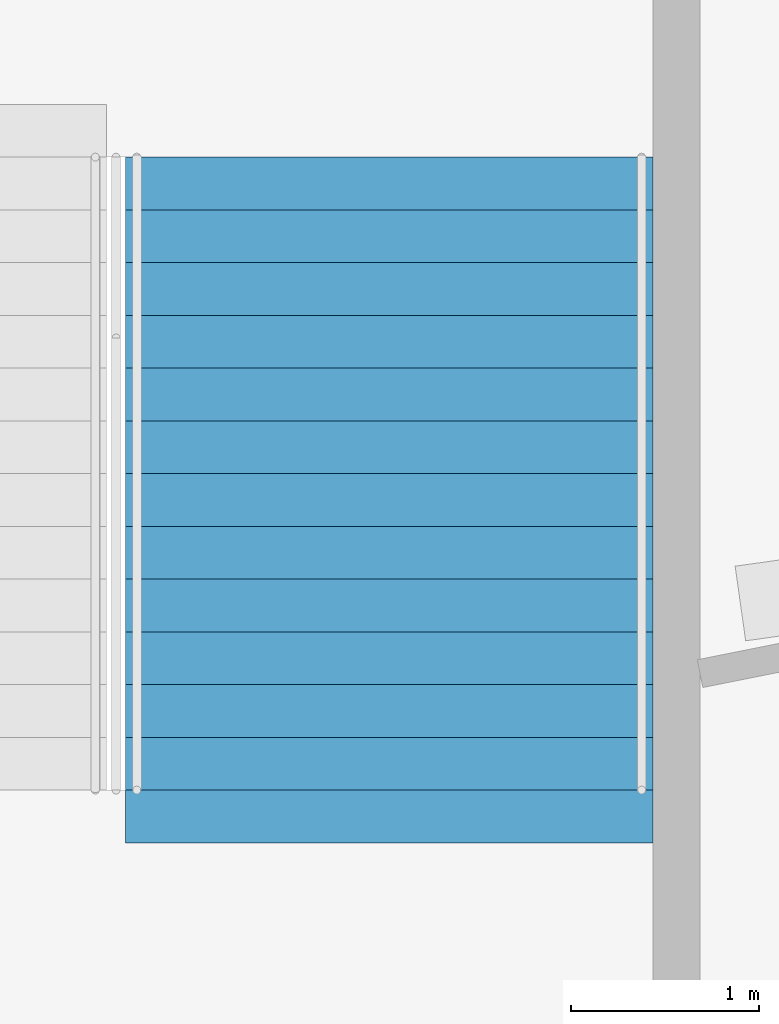
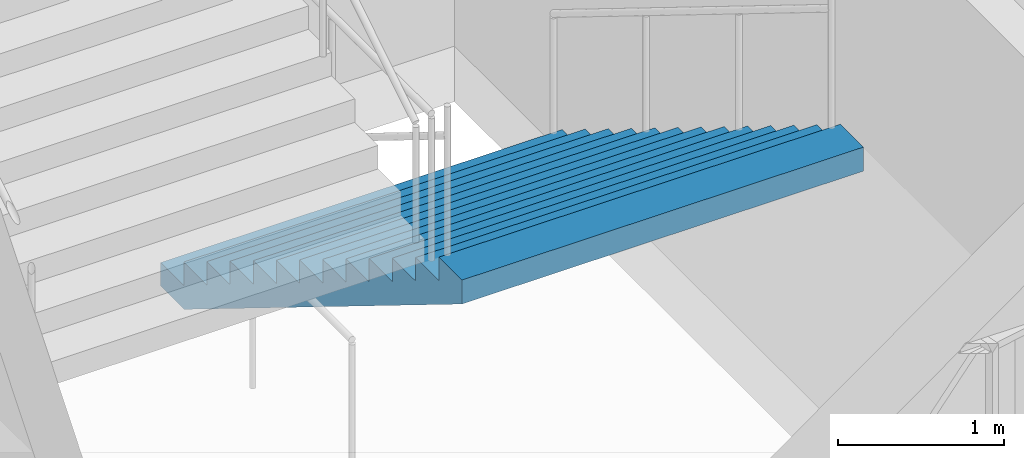
# One storey, part 105 of 177: 1 stair flight, 1 element without a shape of its own.
"""IFC4 building model written with IfcOpenShell, lengths in metres."""

from ifc_helpers import new_model, si_unit, direction, frame, origin, place, context, subcontext, project, spatial, faceted_brep, material, type_object, element, aggregate, save


model = new_model("IFC4")

# Units and contexts
model_context = context("Model", 3, precision=1e-05, world=origin(), true_north=direction((0.0, 1.0)))
body_context = subcontext(model_context, "Body", "Model", "MODEL_VIEW")
ifc_project = project(units=[si_unit("LENGTHUNIT", "METRE"), si_unit("AREAUNIT", "SQUARE_METRE"), si_unit("VOLUMEUNIT", "CUBIC_METRE"), si_unit("PLANEANGLEUNIT", "RADIAN"), si_unit("MASSUNIT", "GRAM", prefix="KILO")], contexts=[model_context])

# Site, building, storey
site_placement = place(None, origin())
site = spatial("IfcSite", under=ifc_project, at=site_placement, CompositionType="ELEMENT")
building_placement = place(site_placement, origin())
building = spatial("IfcBuilding", under=site, at=building_placement, Name="Ogive Plaza Stadium", CompositionType="ELEMENT")
storey_placement = place(building_placement, frame((0.0, 0.0, 18.0)))
storey = spatial("IfcBuildingStorey", under=building, at=storey_placement, Name="L04", CompositionType="ELEMENT", Elevation=18.0)

# Stair, stair flight
ifc_material_1 = material(Name="Concrete C40/50", Category="concrete")
stair_type = type_object("IfcStairType", Name="Exit stair", PredefinedType="STRAIGHT_RUN_STAIR", material=ifc_material_1)
stair_placement = place(storey_placement, origin())
stair = element("IfcStair", 1, at=stair_placement, inside=storey, type_object=stair_type, Name="Exit stair ST12B L04 to L05", PredefinedType="STRAIGHT_RUN_STAIR")
ifc_material_2 = material(Name="Concrete C40/50", Category="concrete")
stair_flight_type = type_object("IfcStairFlightType", Name="Exit stair flight", PredefinedType="STRAIGHT", material=ifc_material_2)
stair_flight_placement = place(storey_placement, frame((38.425048828125, -94.85009765625, 0.0), z_axis=(0.0, 0.0, 1.0), x_axis=(0.0, -1.0, 0.0)))
stair_flight = element("IfcStairFlight", 2, at=stair_flight_placement, type_object=stair_flight_type, Name="ST12B flight 1", NumberOfRisers=13, NumberOfTreads=12, PredefinedType="STRAIGHT", RiserHeight=0.173076923, TreadLength=0.28, context=body_context, shape_type="Brep", body=[
    faceted_brep([(0.28515625, -1.39990234375, 0.0), (3.639892578125, -1.39990234375, 2.07373046875), (3.639892578125, -1.39990234375, 2.25), (3.360107421875, -1.39990234375, 2.25), (3.360107421875, -1.39990234375, 2.076904296875), (3.080078125, -1.39990234375, 2.076904296875), (3.080078125, -1.39990234375, 1.90380859375), (2.800048828125, -1.39990234375, 1.90380859375), (2.800048828125, -1.39990234375, 1.730712890625), (2.52001953125, -1.39990234375, 1.730712890625), (2.52001953125, -1.39990234375, 1.5576171875), (2.239990234375, -1.39990234375, 1.5576171875), (2.239990234375, -1.39990234375, 1.384521484375), (1.9599609375, -1.39990234375, 1.384521484375), (1.9599609375, -1.39990234375, 1.21142578125), (1.679931640625, -1.39990234375, 1.21142578125), (1.679931640625, -1.39990234375, 1.03857421875), (1.39990234375, -1.39990234375, 1.03857421875), (1.39990234375, -1.39990234375, 0.865478515625), (1.1201171875, -1.39990234375, 0.865478515625), (1.1201171875, -1.39990234375, 0.6923828125), (0.840087890625, -1.39990234375, 0.6923828125), (0.840087890625, -1.39990234375, 0.519287109375), (0.56005859375, -1.39990234375, 0.519287109375), (0.56005859375, -1.39990234375, 0.34619140625), (0.280029296875, -1.39990234375, 0.34619140625), (0.280029296875, -1.39990234375, 0.173095703125), (0.0, -1.39990234375, 0.173095703125), (0.0, -1.39990234375, 0.0), (0.0, 1.39990234375, 0.0), (0.0, 1.39990234375, 0.173095703125), (0.280029296875, 1.39990234375, 0.173095703125), (0.280029296875, 1.39990234375, 0.34619140625), (0.56005859375, 1.39990234375, 0.34619140625), (0.56005859375, 1.39990234375, 0.519287109375), (0.840087890625, 1.39990234375, 0.519287109375), (0.840087890625, 1.39990234375, 0.6923828125), (1.1201171875, 1.39990234375, 0.6923828125), (1.1201171875, 1.39990234375, 0.865478515625), (1.39990234375, 1.39990234375, 0.865478515625), (1.39990234375, 1.39990234375, 1.03857421875), (1.679931640625, 1.39990234375, 1.03857421875), (1.679931640625, 1.39990234375, 1.21142578125), (1.9599609375, 1.39990234375, 1.21142578125), (1.9599609375, 1.39990234375, 1.384521484375), (2.239990234375, 1.39990234375, 1.384521484375), (2.239990234375, 1.39990234375, 1.5576171875), (2.52001953125, 1.39990234375, 1.5576171875), (2.52001953125, 1.39990234375, 1.730712890625), (2.800048828125, 1.39990234375, 1.730712890625), (2.800048828125, 1.39990234375, 1.90380859375), (3.080078125, 1.39990234375, 1.90380859375), (3.080078125, 1.39990234375, 2.076904296875), (3.360107421875, 1.39990234375, 2.076904296875), (3.360107421875, 1.39990234375, 2.25), (3.639892578125, 1.39990234375, 2.25), (3.639892578125, 1.39990234375, 2.07373046875), (0.28515625, 1.39990234375, 0.0), (0.28515625, -1.0888671875, 0.0), (3.639892578125, -1.0888671875, 2.07373046875), (0.28515625, -0.77783203125, 0.0), (3.639892578125, -0.77783203125, 2.07373046875), (0.28515625, -0.466796875, 0.0), (3.639892578125, -0.466796875, 2.07373046875), (0.28515625, -0.155517578125, 0.0), (3.639892578125, -0.155517578125, 2.07373046875), (0.28515625, 0.155517578125, 0.0), (3.639892578125, 0.155517578125, 2.07373046875), (0.28515625, 0.466796875, 0.0), (3.639892578125, 0.466796875, 2.07373046875), (0.28515625, 0.77783203125, 0.0), (3.639892578125, 0.77783203125, 2.07373046875), (0.28515625, 1.0888671875, 0.0), (3.639892578125, 1.0888671875, 2.07373046875), (3.639892578125, -1.0888671875, 2.25), (3.639892578125, -0.77783203125, 2.25), (3.639892578125, -0.466796875, 2.25), (3.639892578125, -0.155517578125, 2.25), (3.639892578125, 0.155517578125, 2.25), (3.639892578125, 0.466796875, 2.25), (3.639892578125, 0.77783203125, 2.25), (3.639892578125, 1.0888671875, 2.25), (3.360107421875, -1.0888671875, 2.25), (3.360107421875, -0.77783203125, 2.25), (3.360107421875, -0.466796875, 2.25), (3.360107421875, -0.155517578125, 2.25), (3.360107421875, 0.155517578125, 2.25), (3.360107421875, 0.466796875, 2.25), (3.360107421875, 0.77783203125, 2.25), (3.360107421875, 1.0888671875, 2.25), (3.360107421875, -1.0888671875, 2.076904296875), (3.360107421875, -0.77783203125, 2.076904296875), (3.360107421875, -0.466796875, 2.076904296875), (3.360107421875, -0.155517578125, 2.076904296875), (3.360107421875, 0.155517578125, 2.076904296875), (3.360107421875, 0.466796875, 2.076904296875), (3.360107421875, 0.77783203125, 2.076904296875), (3.360107421875, 1.0888671875, 2.076904296875), (3.080078125, -1.0888671875, 2.076904296875), (3.080078125, -0.77783203125, 2.076904296875), (3.080078125, -0.466796875, 2.076904296875), (3.080078125, -0.155517578125, 2.076904296875), (3.080078125, 0.155517578125, 2.076904296875), (3.080078125, 0.466796875, 2.076904296875), (3.080078125, 0.77783203125, 2.076904296875), (3.080078125, 1.0888671875, 2.076904296875), (3.080078125, -1.0888671875, 1.90380859375), (3.080078125, -0.77783203125, 1.90380859375), (3.080078125, -0.466796875, 1.90380859375), (3.080078125, -0.155517578125, 1.90380859375), (3.080078125, 0.155517578125, 1.90380859375), (3.080078125, 0.466796875, 1.90380859375), (3.080078125, 0.77783203125, 1.90380859375), (3.080078125, 1.0888671875, 1.90380859375), (2.800048828125, -1.0888671875, 1.90380859375), (2.800048828125, -0.77783203125, 1.90380859375), (2.800048828125, -0.466796875, 1.90380859375), (2.800048828125, -0.155517578125, 1.90380859375), (2.800048828125, 0.155517578125, 1.90380859375), (2.800048828125, 0.466796875, 1.90380859375), (2.800048828125, 0.77783203125, 1.90380859375), (2.800048828125, 1.0888671875, 1.90380859375), (2.800048828125, -1.0888671875, 1.730712890625), (2.800048828125, -0.77783203125, 1.730712890625), (2.800048828125, -0.466796875, 1.730712890625), (2.800048828125, -0.155517578125, 1.730712890625), (2.800048828125, 0.155517578125, 1.730712890625), (2.800048828125, 0.466796875, 1.730712890625), (2.800048828125, 0.77783203125, 1.730712890625), (2.800048828125, 1.0888671875, 1.730712890625), (2.52001953125, -1.0888671875, 1.730712890625), (2.52001953125, -0.77783203125, 1.730712890625), (2.52001953125, -0.466796875, 1.730712890625), (2.52001953125, -0.155517578125, 1.730712890625), (2.52001953125, 0.155517578125, 1.730712890625), (2.52001953125, 0.466796875, 1.730712890625), (2.52001953125, 0.77783203125, 1.730712890625), (2.52001953125, 1.0888671875, 1.730712890625), (2.52001953125, -1.0888671875, 1.5576171875), (2.52001953125, -0.77783203125, 1.5576171875), (2.52001953125, -0.466796875, 1.5576171875), (2.52001953125, -0.155517578125, 1.5576171875), (2.52001953125, 0.155517578125, 1.5576171875), (2.52001953125, 0.466796875, 1.5576171875), (2.52001953125, 0.77783203125, 1.5576171875), (2.52001953125, 1.0888671875, 1.5576171875), (2.239990234375, -1.0888671875, 1.5576171875), (2.239990234375, -0.77783203125, 1.5576171875), (2.239990234375, -0.466796875, 1.5576171875), (2.239990234375, -0.155517578125, 1.5576171875), (2.239990234375, 0.155517578125, 1.5576171875), (2.239990234375, 0.466796875, 1.5576171875), (2.239990234375, 0.77783203125, 1.5576171875), (2.239990234375, 1.0888671875, 1.5576171875), (2.239990234375, -1.0888671875, 1.384521484375), (2.239990234375, -0.77783203125, 1.384521484375), (2.239990234375, -0.466796875, 1.384521484375), (2.239990234375, -0.155517578125, 1.384521484375), (2.239990234375, 0.155517578125, 1.384521484375), (2.239990234375, 0.466796875, 1.384521484375), (2.239990234375, 0.77783203125, 1.384521484375), (2.239990234375, 1.0888671875, 1.384521484375), (1.9599609375, -1.0888671875, 1.384521484375), (1.9599609375, -0.77783203125, 1.384521484375), (1.9599609375, -0.466796875, 1.384521484375), (1.9599609375, -0.155517578125, 1.384521484375), (1.9599609375, 0.155517578125, 1.384521484375), (1.9599609375, 0.466796875, 1.384521484375), (1.9599609375, 0.77783203125, 1.384521484375), (1.9599609375, 1.0888671875, 1.384521484375), (1.9599609375, -1.0888671875, 1.21142578125), (1.9599609375, -0.77783203125, 1.21142578125), (1.9599609375, -0.466796875, 1.21142578125), (1.9599609375, -0.155517578125, 1.21142578125), (1.9599609375, 0.155517578125, 1.21142578125), (1.9599609375, 0.466796875, 1.21142578125), (1.9599609375, 0.77783203125, 1.21142578125), (1.9599609375, 1.0888671875, 1.21142578125), (1.679931640625, -1.0888671875, 1.21142578125), (1.679931640625, -0.77783203125, 1.21142578125), (1.679931640625, -0.466796875, 1.21142578125), (1.679931640625, -0.155517578125, 1.21142578125), (1.679931640625, 0.155517578125, 1.21142578125), (1.679931640625, 0.466796875, 1.21142578125), (1.679931640625, 0.77783203125, 1.21142578125), (1.679931640625, 1.0888671875, 1.21142578125), (1.679931640625, -1.0888671875, 1.03857421875), (1.679931640625, -0.77783203125, 1.03857421875), (1.679931640625, -0.466796875, 1.03857421875), (1.679931640625, -0.155517578125, 1.03857421875), (1.679931640625, 0.155517578125, 1.03857421875), (1.679931640625, 0.466796875, 1.03857421875), (1.679931640625, 0.77783203125, 1.03857421875), (1.679931640625, 1.0888671875, 1.03857421875), (1.39990234375, -1.0888671875, 1.03857421875), (1.39990234375, -0.77783203125, 1.03857421875), (1.39990234375, -0.466796875, 1.03857421875), (1.39990234375, -0.155517578125, 1.03857421875), (1.39990234375, 0.155517578125, 1.03857421875), (1.39990234375, 0.466796875, 1.03857421875), (1.39990234375, 0.77783203125, 1.03857421875), (1.39990234375, 1.0888671875, 1.03857421875), (1.39990234375, -1.0888671875, 0.865478515625), (1.39990234375, -0.77783203125, 0.865478515625), (1.39990234375, -0.466796875, 0.865478515625), (1.39990234375, -0.155517578125, 0.865478515625), (1.39990234375, 0.155517578125, 0.865478515625), (1.39990234375, 0.466796875, 0.865478515625), (1.39990234375, 0.77783203125, 0.865478515625), (1.39990234375, 1.0888671875, 0.865478515625), (1.1201171875, -1.0888671875, 0.865478515625), (1.1201171875, -0.77783203125, 0.865478515625), (1.1201171875, -0.466796875, 0.865478515625), (1.1201171875, -0.155517578125, 0.865478515625), (1.1201171875, 0.155517578125, 0.865478515625), (1.1201171875, 0.466796875, 0.865478515625), (1.1201171875, 0.77783203125, 0.865478515625), (1.1201171875, 1.0888671875, 0.865478515625), (1.1201171875, -1.0888671875, 0.6923828125), (1.1201171875, -0.77783203125, 0.6923828125), (1.1201171875, -0.466796875, 0.6923828125), (1.1201171875, -0.155517578125, 0.6923828125), (1.1201171875, 0.155517578125, 0.6923828125), (1.1201171875, 0.466796875, 0.6923828125), (1.1201171875, 0.77783203125, 0.6923828125), (1.1201171875, 1.0888671875, 0.6923828125), (0.840087890625, -1.0888671875, 0.6923828125), (0.840087890625, -0.77783203125, 0.6923828125), (0.840087890625, -0.466796875, 0.6923828125), (0.840087890625, -0.155517578125, 0.6923828125), (0.840087890625, 0.155517578125, 0.6923828125), (0.840087890625, 0.466796875, 0.6923828125), (0.840087890625, 0.77783203125, 0.6923828125), (0.840087890625, 1.0888671875, 0.6923828125), (0.840087890625, -1.0888671875, 0.519287109375), (0.840087890625, -0.77783203125, 0.519287109375), (0.840087890625, -0.466796875, 0.519287109375), (0.840087890625, -0.155517578125, 0.519287109375), (0.840087890625, 0.155517578125, 0.519287109375), (0.840087890625, 0.466796875, 0.519287109375), (0.840087890625, 0.77783203125, 0.519287109375), (0.840087890625, 1.0888671875, 0.519287109375), (0.56005859375, -1.0888671875, 0.519287109375), (0.56005859375, -0.77783203125, 0.519287109375), (0.56005859375, -0.466796875, 0.519287109375), (0.56005859375, -0.155517578125, 0.519287109375), (0.56005859375, 0.155517578125, 0.519287109375), (0.56005859375, 0.466796875, 0.519287109375), (0.56005859375, 0.77783203125, 0.519287109375), (0.56005859375, 1.0888671875, 0.519287109375), (0.56005859375, -1.0888671875, 0.34619140625), (0.56005859375, -0.77783203125, 0.34619140625), (0.56005859375, -0.466796875, 0.34619140625), (0.56005859375, -0.155517578125, 0.34619140625), (0.56005859375, 0.155517578125, 0.34619140625), (0.56005859375, 0.466796875, 0.34619140625), (0.56005859375, 0.77783203125, 0.34619140625), (0.56005859375, 1.0888671875, 0.34619140625), (0.280029296875, -1.0888671875, 0.34619140625), (0.280029296875, -0.77783203125, 0.34619140625), (0.280029296875, -0.466796875, 0.34619140625), (0.280029296875, -0.155517578125, 0.34619140625), (0.280029296875, 0.155517578125, 0.34619140625), (0.280029296875, 0.466796875, 0.34619140625), (0.280029296875, 0.77783203125, 0.34619140625), (0.280029296875, 1.0888671875, 0.34619140625), (0.280029296875, -1.0888671875, 0.173095703125), (0.280029296875, -0.77783203125, 0.173095703125), (0.280029296875, -0.466796875, 0.173095703125), (0.280029296875, -0.155517578125, 0.173095703125), (0.280029296875, 0.155517578125, 0.173095703125), (0.280029296875, 0.466796875, 0.173095703125), (0.280029296875, 0.77783203125, 0.173095703125), (0.280029296875, 1.0888671875, 0.173095703125), (0.0, -1.0888671875, 0.173095703125), (0.0, -0.77783203125, 0.173095703125), (0.0, -0.466796875, 0.173095703125), (0.0, -0.155517578125, 0.173095703125), (0.0, 0.155517578125, 0.173095703125), (0.0, 0.466796875, 0.173095703125), (0.0, 0.77783203125, 0.173095703125), (0.0, 1.0888671875, 0.173095703125), (0.0, -1.0888671875, 0.0), (0.0, -0.77783203125, 0.0), (0.0, -0.466796875, 0.0), (0.0, -0.155517578125, 0.0), (0.0, 0.155517578125, 0.0), (0.0, 0.466796875, 0.0), (0.0, 0.77783203125, 0.0), (0.0, 1.0888671875, 0.0)], [[[0, 1, 2, 3, 4, 5, 6, 7, 8, 9, 10, 11, 12, 13, 14, 15, 16, 17, 18, 19, 20, 21, 22, 23, 24, 25, 26, 27, 28]], [[29, 30, 31, 32, 33, 34, 35, 36, 37, 38, 39, 40, 41, 42, 43, 44, 45, 46, 47, 48, 49, 50, 51, 52, 53, 54, 55, 56, 57]], [[0, 58, 59, 1]], [[58, 60, 61, 59]], [[60, 62, 63, 61]], [[62, 64, 65, 63]], [[64, 66, 67, 65]], [[66, 68, 69, 67]], [[68, 70, 71, 69]], [[70, 72, 73, 71]], [[72, 57, 56, 73]], [[1, 59, 74, 2]], [[59, 61, 75, 74]], [[61, 63, 76, 75]], [[63, 65, 77, 76]], [[65, 67, 78, 77]], [[67, 69, 79, 78]], [[69, 71, 80, 79]], [[71, 73, 81, 80]], [[73, 56, 55, 81]], [[2, 74, 82, 3]], [[74, 75, 83, 82]], [[75, 76, 84, 83]], [[76, 77, 85, 84]], [[77, 78, 86, 85]], [[78, 79, 87, 86]], [[79, 80, 88, 87]], [[80, 81, 89, 88]], [[81, 55, 54, 89]], [[3, 82, 90, 4]], [[82, 83, 91, 90]], [[83, 84, 92, 91]], [[84, 85, 93, 92]], [[85, 86, 94, 93]], [[86, 87, 95, 94]], [[87, 88, 96, 95]], [[88, 89, 97, 96]], [[89, 54, 53, 97]], [[4, 90, 98, 5]], [[90, 91, 99, 98]], [[91, 92, 100, 99]], [[92, 93, 101, 100]], [[93, 94, 102, 101]], [[94, 95, 103, 102]], [[95, 96, 104, 103]], [[96, 97, 105, 104]], [[97, 53, 52, 105]], [[5, 98, 106, 6]], [[98, 99, 107, 106]], [[99, 100, 108, 107]], [[100, 101, 109, 108]], [[101, 102, 110, 109]], [[102, 103, 111, 110]], [[103, 104, 112, 111]], [[104, 105, 113, 112]], [[105, 52, 51, 113]], [[6, 106, 114, 7]], [[106, 107, 115, 114]], [[107, 108, 116, 115]], [[108, 109, 117, 116]], [[109, 110, 118, 117]], [[110, 111, 119, 118]], [[111, 112, 120, 119]], [[112, 113, 121, 120]], [[113, 51, 50, 121]], [[7, 114, 122, 8]], [[114, 115, 123, 122]], [[115, 116, 124, 123]], [[116, 117, 125, 124]], [[117, 118, 126, 125]], [[118, 119, 127, 126]], [[119, 120, 128, 127]], [[120, 121, 129, 128]], [[121, 50, 49, 129]], [[8, 122, 130, 9]], [[122, 123, 131, 130]], [[123, 124, 132, 131]], [[124, 125, 133, 132]], [[125, 126, 134, 133]], [[126, 127, 135, 134]], [[127, 128, 136, 135]], [[128, 129, 137, 136]], [[129, 49, 48, 137]], [[9, 130, 138, 10]], [[130, 131, 139, 138]], [[131, 132, 140, 139]], [[132, 133, 141, 140]], [[133, 134, 142, 141]], [[134, 135, 143, 142]], [[135, 136, 144, 143]], [[136, 137, 145, 144]], [[137, 48, 47, 145]], [[10, 138, 146, 11]], [[138, 139, 147, 146]], [[139, 140, 148, 147]], [[140, 141, 149, 148]], [[141, 142, 150, 149]], [[142, 143, 151, 150]], [[143, 144, 152, 151]], [[144, 145, 153, 152]], [[145, 47, 46, 153]], [[11, 146, 154, 12]], [[146, 147, 155, 154]], [[147, 148, 156, 155]], [[148, 149, 157, 156]], [[149, 150, 158, 157]], [[150, 151, 159, 158]], [[151, 152, 160, 159]], [[152, 153, 161, 160]], [[153, 46, 45, 161]], [[12, 154, 162, 13]], [[154, 155, 163, 162]], [[155, 156, 164, 163]], [[156, 157, 165, 164]], [[157, 158, 166, 165]], [[158, 159, 167, 166]], [[159, 160, 168, 167]], [[160, 161, 169, 168]], [[161, 45, 44, 169]], [[13, 162, 170, 14]], [[162, 163, 171, 170]], [[163, 164, 172, 171]], [[164, 165, 173, 172]], [[165, 166, 174, 173]], [[166, 167, 175, 174]], [[167, 168, 176, 175]], [[168, 169, 177, 176]], [[169, 44, 43, 177]], [[14, 170, 178, 15]], [[170, 171, 179, 178]], [[171, 172, 180, 179]], [[172, 173, 181, 180]], [[173, 174, 182, 181]], [[174, 175, 183, 182]], [[175, 176, 184, 183]], [[176, 177, 185, 184]], [[177, 43, 42, 185]], [[15, 178, 186, 16]], [[178, 179, 187, 186]], [[179, 180, 188, 187]], [[180, 181, 189, 188]], [[181, 182, 190, 189]], [[182, 183, 191, 190]], [[183, 184, 192, 191]], [[184, 185, 193, 192]], [[185, 42, 41, 193]], [[16, 186, 194, 17]], [[186, 187, 195, 194]], [[187, 188, 196, 195]], [[188, 189, 197, 196]], [[189, 190, 198, 197]], [[190, 191, 199, 198]], [[191, 192, 200, 199]], [[192, 193, 201, 200]], [[193, 41, 40, 201]], [[17, 194, 202, 18]], [[194, 195, 203, 202]], [[195, 196, 204, 203]], [[196, 197, 205, 204]], [[197, 198, 206, 205]], [[198, 199, 207, 206]], [[199, 200, 208, 207]], [[200, 201, 209, 208]], [[201, 40, 39, 209]], [[18, 202, 210, 19]], [[202, 203, 211, 210]], [[203, 204, 212, 211]], [[204, 205, 213, 212]], [[205, 206, 214, 213]], [[206, 207, 215, 214]], [[207, 208, 216, 215]], [[208, 209, 217, 216]], [[209, 39, 38, 217]], [[19, 210, 218, 20]], [[210, 211, 219, 218]], [[211, 212, 220, 219]], [[212, 213, 221, 220]], [[213, 214, 222, 221]], [[214, 215, 223, 222]], [[215, 216, 224, 223]], [[216, 217, 225, 224]], [[217, 38, 37, 225]], [[20, 218, 226, 21]], [[218, 219, 227, 226]], [[219, 220, 228, 227]], [[220, 221, 229, 228]], [[221, 222, 230, 229]], [[222, 223, 231, 230]], [[223, 224, 232, 231]], [[224, 225, 233, 232]], [[225, 37, 36, 233]], [[21, 226, 234, 22]], [[226, 227, 235, 234]], [[227, 228, 236, 235]], [[228, 229, 237, 236]], [[229, 230, 238, 237]], [[230, 231, 239, 238]], [[231, 232, 240, 239]], [[232, 233, 241, 240]], [[233, 36, 35, 241]], [[22, 234, 242, 23]], [[234, 235, 243, 242]], [[235, 236, 244, 243]], [[236, 237, 245, 244]], [[237, 238, 246, 245]], [[238, 239, 247, 246]], [[239, 240, 248, 247]], [[240, 241, 249, 248]], [[241, 35, 34, 249]], [[23, 242, 250, 24]], [[242, 243, 251, 250]], [[243, 244, 252, 251]], [[244, 245, 253, 252]], [[245, 246, 254, 253]], [[246, 247, 255, 254]], [[247, 248, 256, 255]], [[248, 249, 257, 256]], [[249, 34, 33, 257]], [[24, 250, 258, 25]], [[250, 251, 259, 258]], [[251, 252, 260, 259]], [[252, 253, 261, 260]], [[253, 254, 262, 261]], [[254, 255, 263, 262]], [[255, 256, 264, 263]], [[256, 257, 265, 264]], [[257, 33, 32, 265]], [[25, 258, 266, 26]], [[258, 259, 267, 266]], [[259, 260, 268, 267]], [[260, 261, 269, 268]], [[261, 262, 270, 269]], [[262, 263, 271, 270]], [[263, 264, 272, 271]], [[264, 265, 273, 272]], [[265, 32, 31, 273]], [[26, 266, 274, 27]], [[266, 267, 275, 274]], [[267, 268, 276, 275]], [[268, 269, 277, 276]], [[269, 270, 278, 277]], [[270, 271, 279, 278]], [[271, 272, 280, 279]], [[272, 273, 281, 280]], [[273, 31, 30, 281]], [[27, 274, 282, 28]], [[274, 275, 283, 282]], [[275, 276, 284, 283]], [[276, 277, 285, 284]], [[277, 278, 286, 285]], [[278, 279, 287, 286]], [[279, 280, 288, 287]], [[280, 281, 289, 288]], [[281, 30, 29, 289]], [[28, 282, 58, 0]], [[282, 283, 60, 58]], [[283, 284, 62, 60]], [[284, 285, 64, 62]], [[285, 286, 66, 64]], [[286, 287, 68, 66]], [[287, 288, 70, 68]], [[288, 289, 72, 70]], [[289, 29, 57, 72]]]),
])
aggregate(stair, [stair_flight])

save(model, "model.ifc")
